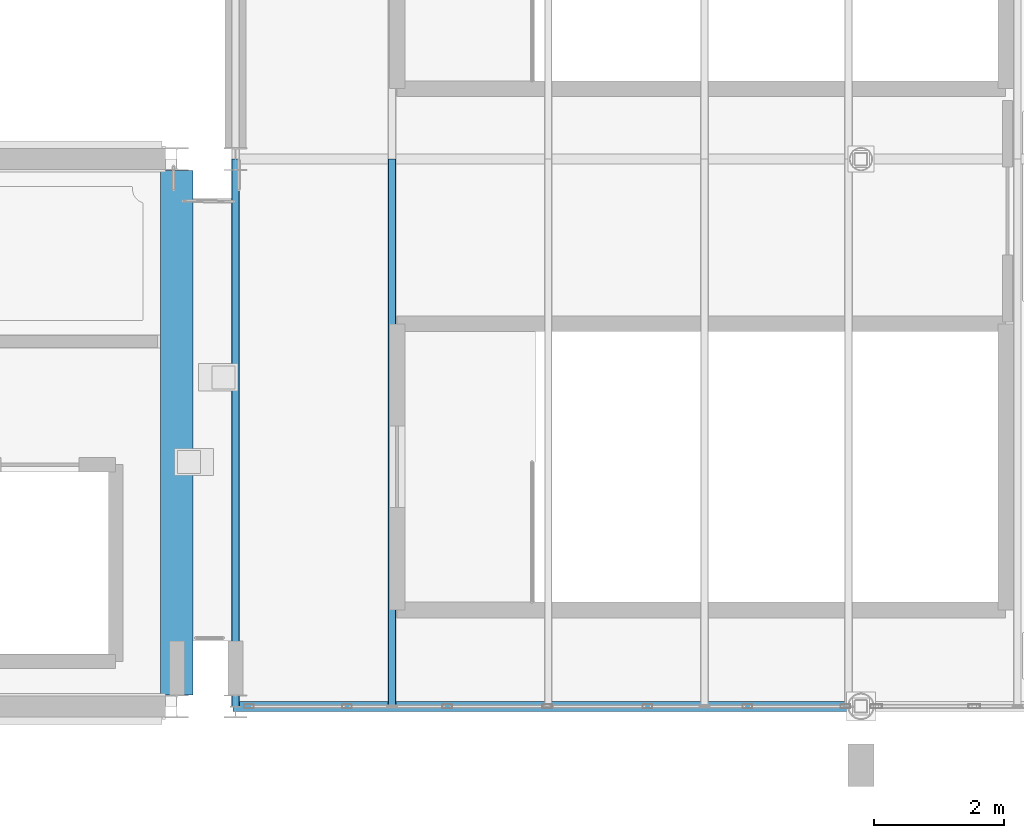
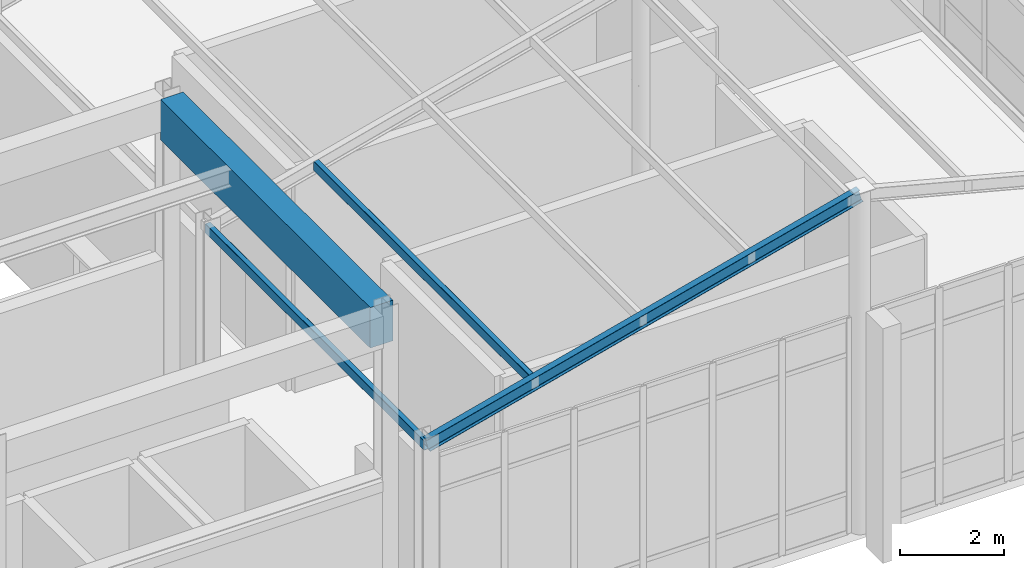
# One storey, part 10 of 121: 2 beams, 2 members.
"""IFC4 building model written with IfcOpenShell, lengths in metres."""

from ifc_helpers import new_model, si_unit, direction, frame, origin, origin_2d, place, context, subcontext, project, spatial, rectangle, hollow_rectangle, i_section, extrude, material, material_profile, profile_set, type_object, element, save


model = new_model("IFC4")

# Units and contexts
model_context = context("Model", 3, precision=1e-05, world=origin(), true_north=direction((0.0, 1.0)))
body_context = subcontext(model_context, "Body", "Model", "MODEL_VIEW")
ifc_project = project(units=[si_unit("LENGTHUNIT", "METRE"), si_unit("AREAUNIT", "SQUARE_METRE"), si_unit("VOLUMEUNIT", "CUBIC_METRE"), si_unit("PLANEANGLEUNIT", "RADIAN"), si_unit("MASSUNIT", "GRAM", prefix="KILO")], contexts=[model_context])

# Site, building, storey
site_placement = place(None, origin())
site = spatial("IfcSite", under=ifc_project, at=site_placement, CompositionType="ELEMENT")
building_placement = place(site_placement, origin())
building = spatial("IfcBuilding", under=site, at=building_placement, Name="Canglan Escarpment Cableway Terminal", CompositionType="ELEMENT")
storey_placement = place(building_placement, frame((0.0, 0.0, 24.60009765625)))
storey = spatial("IfcBuildingStorey", under=building, at=storey_placement, Name="L05", CompositionType="ELEMENT", Elevation=24.60009765625)

# Beams
ifc_material_1 = material(Name="Steel Q355B", Category="steel")
ifc_material_profile_1 = material_profile(ifc_material_1, i_section(OverallWidth=0.14990234375, OverallDepth=0.300048828125, WebThickness=0.006591796875, FlangeThickness=0.009033203125, FilletRadius=0.012939453125, at=origin_2d()), Name="HN 300x150x6.5x9")
ifc_profile_set_1 = profile_set([ifc_material_profile_1], Name="Steel Q355B")
beam_type_1 = type_object("IfcBeamType", Name="BM-GABLE-RAFTER-HN300", PredefinedType="BEAM", material=ifc_profile_set_1)
beam_1_placement = place(storey_placement, frame((147.199951171875, 8.0, 5.349853515625), z_axis=(0.967724859719, 0.0, 0.252009118649), x_axis=(0.0, 1.0, 0.0)))
element("IfcBeam", 1, at=beam_1_placement, inside=storey, type_object=beam_type_1, Name="Pedimented pavilion rafter RF-B2", PredefinedType="BEAM", context=body_context, shape_type="SweptSolid", body=[
    extrude(i_section(OverallWidth=0.14990234375, OverallDepth=0.300048828125, WebThickness=0.006591796875, FlangeThickness=0.009033203125, FilletRadius=0.012939453125, at=origin_2d()), origin(), (0.0, 0.0, 1.0), 9.920166015625),
])
ifc_material_2 = material(Name="Concrete C50", Category="concrete")
ifc_material_profile_2 = material_profile(ifc_material_2, rectangle(XDim=0.5, YDim=0.949951171875, at=origin_2d()), Name="RC 500x950")
ifc_profile_set_2 = profile_set([ifc_material_profile_2], Name="Concrete C50")
beam_type_2 = type_object("IfcBeamType", Name="BM-RC500x950", PredefinedType="BEAM", material=ifc_profile_set_2)
beam_2_placement = place(storey_placement, frame((146.300048828125, 8.175048828125, 8.364990234375), z_axis=(0.0, 1.0, 0.0), x_axis=(-1.0, 0.0, 0.0)))
element("IfcBeam", 2, at=beam_2_placement, inside=storey, type_object=beam_type_2, Name="Primary transverse girder B-01", PredefinedType="BEAM", context=body_context, shape_type="SweptSolid", body=[
    extrude(rectangle(XDim=0.5, YDim=0.949951171875, at=origin_2d()), origin(), (0.0, 0.0, 1.0), 8.050048828125),
])

# Members
ifc_material_profile_3 = material_profile(ifc_material_1, hollow_rectangle(XDim=0.1201171875, YDim=0.219970703125, WallThickness=0.006103515625, InnerFilletRadius=0.006103515625, OuterFilletRadius=0.011962890625, at=origin_2d()), Name="RHS 220x120x6")
ifc_profile_set_3 = profile_set([ifc_material_profile_3], Name="Steel Q355B")
member_type = type_object("IfcMemberType", Name="MB-PAV-PUR-RHS220", PredefinedType="PURLIN", material=ifc_profile_set_3)
for number, where, z_axis, x_axis, name in (
    (3, (147.199951171875, 8.0, 5.329833984375), (0.0, 1.0, 0.0), (-1.0, 0.0, 0.0), "Pedimented pavilion purlin PR-03"),
    (4, (149.60009765625, 8.0, 5.954833984375), (0.0, 1.0, 0.0), (-1.0, 0.0, 0.0), "Pedimented pavilion purlin PR-03"),
):
    element("IfcMember", number, at=place(storey_placement, frame(where, z_axis=z_axis, x_axis=x_axis)), inside=storey, type_object=member_type, Name=name, PredefinedType="PURLIN", context=body_context, shape_type="SweptSolid", body=[
        extrude(hollow_rectangle(XDim=0.1201171875, YDim=0.219970703125, WallThickness=0.006103515625, InnerFilletRadius=0.006103515625, OuterFilletRadius=0.011962890625, at=origin_2d()), origin(), (0.0, 0.0, 1.0), 8.39990234375),
    ])

save(model, "model.ifc")
